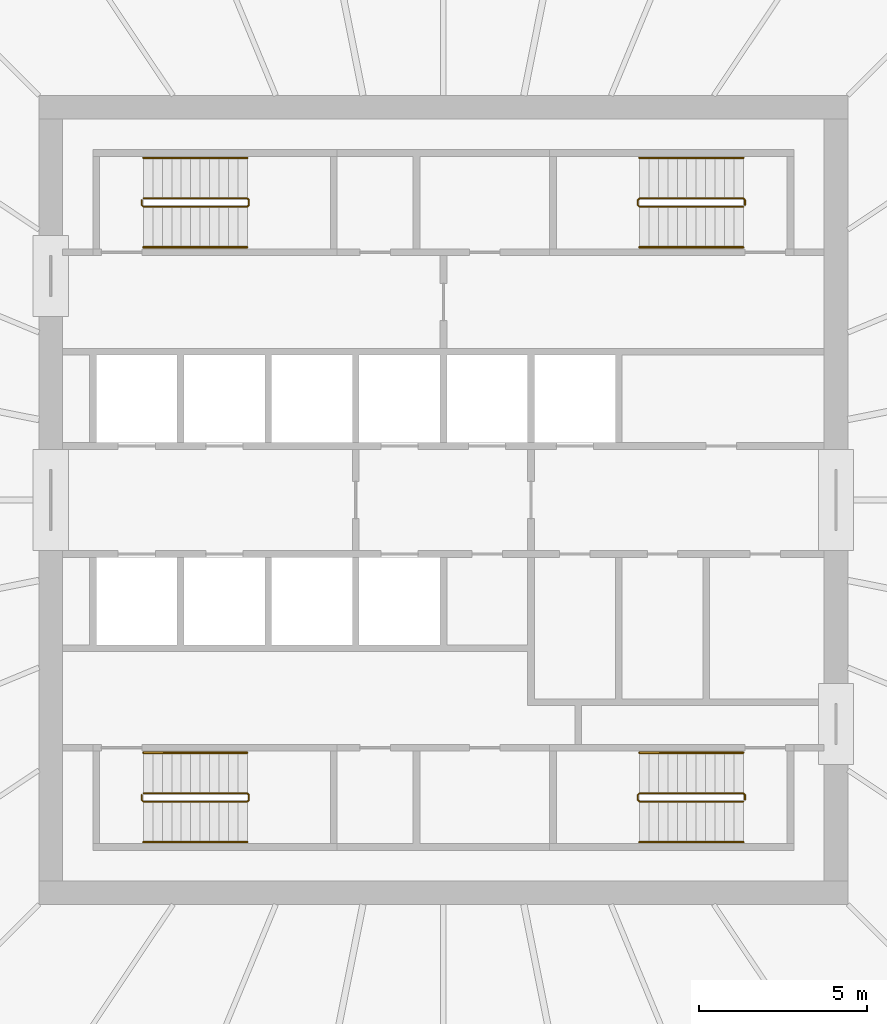
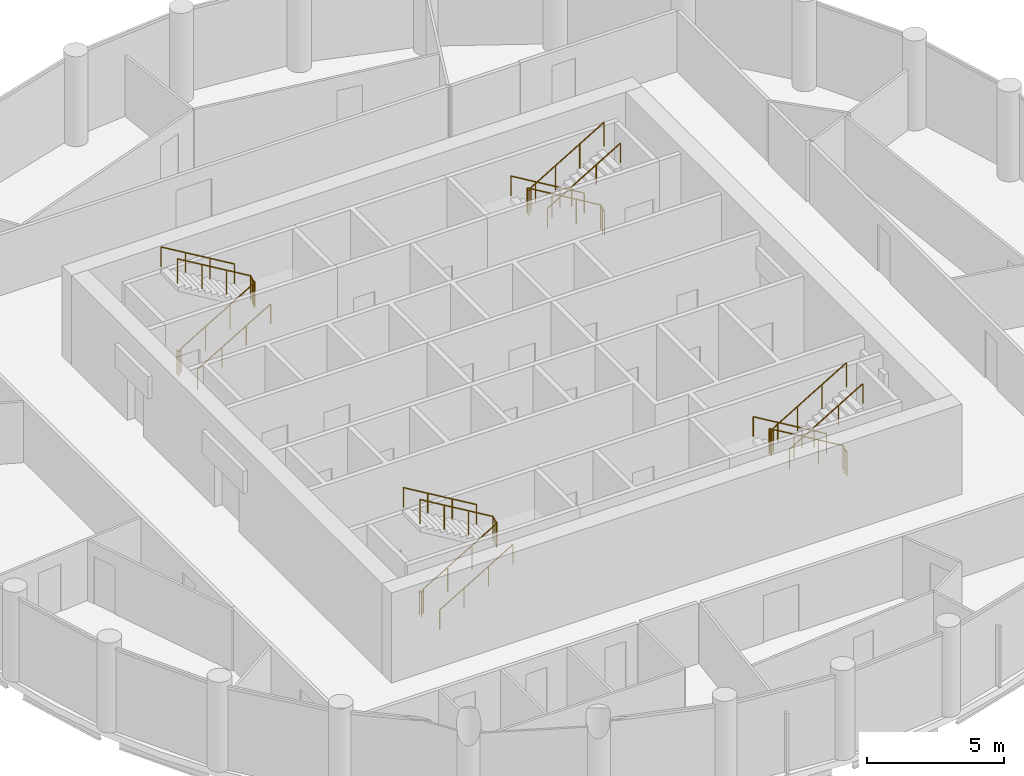
# One storey, part 8 of 8: 12 railings.
"""IFC4 building model written with IfcOpenShell, lengths in metres."""

from ifc_helpers import new_model, si_unit, direction, frame, origin, origin_2d, place, context, subcontext, project, spatial, circle, extrude, material, type_object, element, save


model = new_model("IFC4")

# Units and contexts
model_context = context("Model", 3, precision=1e-05, world=origin(), true_north=direction((0.0, 1.0)))
body_context = subcontext(model_context, "Body", "Model", "MODEL_VIEW")
ifc_project = project(units=[si_unit("LENGTHUNIT", "METRE"), si_unit("AREAUNIT", "SQUARE_METRE"), si_unit("VOLUMEUNIT", "CUBIC_METRE"), si_unit("PLANEANGLEUNIT", "RADIAN"), si_unit("MASSUNIT", "GRAM", prefix="KILO")], contexts=[model_context])

# Site, building, storey
site_placement = place(None, origin())
site = spatial("IfcSite", under=ifc_project, at=site_placement, CompositionType="ELEMENT")
building_placement = place(site_placement, origin())
building = spatial("IfcBuilding", under=site, at=building_placement, Name="Corvane Civic Tower", CompositionType="ELEMENT")
storey_placement = place(building_placement, frame((0.0, 0.0, 299.0)))
storey = spatial("IfcBuildingStorey", under=building, at=storey_placement, Name="L71", CompositionType="ELEMENT", Elevation=299.0)

# Railings
ifc_material_1 = material(Name="Steel ASTM A572 Gr 50", Category="steel")
railing_type_1 = type_object("IfcRailingType", Name="ST-GUARD-1100", PredefinedType="GUARDRAIL", material=ifc_material_1)
railing_1_placement = place(storey_placement, frame((8.949951171875, 8.75, 0.0)))
element("IfcRailing", 1, at=railing_1_placement, inside=storey, type_object=railing_type_1, Name="L71 ST1 stair guard 1", PredefinedType="GUARDRAIL", context=body_context, shape_type="SweptSolid", body=[
    extrude(circle(Radius=0.02392578125, at=origin_2d()), frame((0.0, 0.0, 1.076171875), z_axis=(0.0, 1.0, 0.0), x_axis=(-1.0, 0.0, 0.0)), (0.0, 0.0, 1.0), 0.14990234375),
    extrude(circle(Radius=0.02392578125, at=origin_2d()), frame((0.0, 0.14990234375, 1.076171875), z_axis=(-0.27628659633, 0.27628659633, 0.920506074601), x_axis=(-0.707106781187, -0.707106781187, 0.0)), (0.0, 0.0, 1.0), 0.18115234375),
    extrude(circle(Radius=0.02392578125, at=origin_2d()), frame((-0.050048828125, 0.199951171875, 1.24267578125), z_axis=(-0.859290745958, 0.0, 0.51148745235), x_axis=(0.0, -1.0, 0.0)), (0.0, 0.0, 1.0), 3.584228515625),
    extrude(circle(Radius=0.02392578125, at=origin_2d()), frame((-3.1298828125, 0.199951171875, 3.076171875), z_axis=(-0.707106781187, -0.707106781187, 0.0), x_axis=(0.707106781187, -0.707106781187, 0.0)), (0.0, 0.0, 1.0), 0.07080078125),
    extrude(circle(Radius=0.02392578125, at=origin_2d()), frame((-3.179931640625, 0.14990234375, 3.076171875), z_axis=(0.0, -1.0, 0.0), x_axis=(1.0, 0.0, 0.0)), (0.0, 0.0, 1.0), 0.14990234375),
    extrude(circle(Radius=0.02392578125, at=origin_2d()), frame((-3.179931640625, 0.0, 3.076171875), z_axis=(0.27628659633, -0.27628659633, 0.920506074601), x_axis=(0.707106781187, 0.707106781187, 0.0)), (0.0, 0.0, 1.0), 0.18115234375),
    extrude(circle(Radius=0.02392578125, at=origin_2d()), frame((-3.1298828125, -0.050048828125, 3.24267578125), z_axis=(0.859290745958, 0.0, 0.51148745235), x_axis=(0.0, 1.0, 0.0)), (0.0, 0.0, 1.0), 3.584228515625),
    extrude(circle(Radius=0.02099609375, at=origin_2d()), origin(), (0.0, 0.0, 1.0), 1.052001953125),
    extrude(circle(Radius=0.02099609375, at=origin_2d()), frame((0.0, 0.14990234375, 0.0)), (0.0, 0.0, 1.0), 1.052001953125),
    extrude(circle(Radius=0.02099609375, at=origin_2d()), frame((-0.050048828125, 0.199951171875, 0.166748046875)), (0.0, 0.0, 1.0), 1.052001953125),
    extrude(circle(Radius=0.02099609375, at=origin_2d()), frame((-1.07666015625, 0.199951171875, 0.77783203125)), (0.0, 0.0, 1.0), 1.052001953125),
    extrude(circle(Radius=0.02099609375, at=origin_2d()), frame((-2.103271484375, 0.199951171875, 1.388916015625)), (0.0, 0.0, 1.0), 1.052001953125),
    extrude(circle(Radius=0.02099609375, at=origin_2d()), frame((-3.1298828125, 0.199951171875, 2.0)), (0.0, 0.0, 1.0), 1.052001953125),
    extrude(circle(Radius=0.02099609375, at=origin_2d()), frame((-3.179931640625, 0.14990234375, 2.0)), (0.0, 0.0, 1.0), 1.052001953125),
    extrude(circle(Radius=0.02099609375, at=origin_2d()), frame((-3.179931640625, 0.0, 2.0)), (0.0, 0.0, 1.0), 1.052001953125),
    extrude(circle(Radius=0.02099609375, at=origin_2d()), frame((-3.1298828125, -0.050048828125, 2.166748046875)), (0.0, 0.0, 1.0), 1.052001953125),
    extrude(circle(Radius=0.02099609375, at=origin_2d()), frame((-2.103271484375, -0.050048828125, 2.77783203125)), (0.0, 0.0, 1.0), 1.052001953125),
    extrude(circle(Radius=0.02099609375, at=origin_2d()), frame((-1.07666015625, -0.050048828125, 3.388916015625)), (0.0, 0.0, 1.0), 1.052001953125),
    extrude(circle(Radius=0.02099609375, at=origin_2d()), frame((-0.050048828125, -0.050048828125, 4.0)), (0.0, 0.0, 1.0), 1.052001953125),
])
railing_2_placement = place(storey_placement, frame((8.949951171875, -8.89990234375, 0.0)))
element("IfcRailing", 2, at=railing_2_placement, inside=storey, type_object=railing_type_1, Name="L71 ST2 stair guard 1", PredefinedType="GUARDRAIL", context=body_context, shape_type="SweptSolid", body=[
    extrude(circle(Radius=0.02392578125, at=origin_2d()), frame((0.0, 0.0, 1.076171875), z_axis=(0.0, 1.0, 0.0), x_axis=(-1.0, 0.0, 0.0)), (0.0, 0.0, 1.0), 0.14990234375),
    extrude(circle(Radius=0.02392578125, at=origin_2d()), frame((0.0, 0.14990234375, 1.076171875), z_axis=(-0.27628659633, 0.27628659633, 0.920506074601), x_axis=(-0.707106781187, -0.707106781187, 0.0)), (0.0, 0.0, 1.0), 0.18115234375),
    extrude(circle(Radius=0.02392578125, at=origin_2d()), frame((-0.050048828125, 0.199951171875, 1.24267578125), z_axis=(-0.859290745958, 0.0, 0.51148745235), x_axis=(0.0, -1.0, 0.0)), (0.0, 0.0, 1.0), 3.584228515625),
    extrude(circle(Radius=0.02392578125, at=origin_2d()), frame((-3.1298828125, 0.199951171875, 3.076171875), z_axis=(-0.707106781187, -0.707106781187, 0.0), x_axis=(0.707106781187, -0.707106781187, 0.0)), (0.0, 0.0, 1.0), 0.07080078125),
    extrude(circle(Radius=0.02392578125, at=origin_2d()), frame((-3.179931640625, 0.14990234375, 3.076171875), z_axis=(0.0, -1.0, 0.0), x_axis=(1.0, 0.0, 0.0)), (0.0, 0.0, 1.0), 0.14990234375),
    extrude(circle(Radius=0.02392578125, at=origin_2d()), frame((-3.179931640625, 0.0, 3.076171875), z_axis=(0.27628659633, -0.27628659633, 0.920506074601), x_axis=(0.707106781187, 0.707106781187, 0.0)), (0.0, 0.0, 1.0), 0.18115234375),
    extrude(circle(Radius=0.02392578125, at=origin_2d()), frame((-3.1298828125, -0.050048828125, 3.24267578125), z_axis=(0.859290745958, 0.0, 0.51148745235), x_axis=(0.0, 1.0, 0.0)), (0.0, 0.0, 1.0), 3.584228515625),
    extrude(circle(Radius=0.02099609375, at=origin_2d()), origin(), (0.0, 0.0, 1.0), 1.052001953125),
    extrude(circle(Radius=0.02099609375, at=origin_2d()), frame((0.0, 0.14990234375, 0.0)), (0.0, 0.0, 1.0), 1.052001953125),
    extrude(circle(Radius=0.02099609375, at=origin_2d()), frame((-0.050048828125, 0.199951171875, 0.166748046875)), (0.0, 0.0, 1.0), 1.052001953125),
    extrude(circle(Radius=0.02099609375, at=origin_2d()), frame((-1.07666015625, 0.199951171875, 0.77783203125)), (0.0, 0.0, 1.0), 1.052001953125),
    extrude(circle(Radius=0.02099609375, at=origin_2d()), frame((-2.103271484375, 0.199951171875, 1.388916015625)), (0.0, 0.0, 1.0), 1.052001953125),
    extrude(circle(Radius=0.02099609375, at=origin_2d()), frame((-3.1298828125, 0.199951171875, 2.0)), (0.0, 0.0, 1.0), 1.052001953125),
    extrude(circle(Radius=0.02099609375, at=origin_2d()), frame((-3.179931640625, 0.14990234375, 2.0)), (0.0, 0.0, 1.0), 1.052001953125),
    extrude(circle(Radius=0.02099609375, at=origin_2d()), frame((-3.179931640625, 0.0, 2.0)), (0.0, 0.0, 1.0), 1.052001953125),
    extrude(circle(Radius=0.02099609375, at=origin_2d()), frame((-3.1298828125, -0.050048828125, 2.166748046875)), (0.0, 0.0, 1.0), 1.052001953125),
    extrude(circle(Radius=0.02099609375, at=origin_2d()), frame((-2.103271484375, -0.050048828125, 2.77783203125)), (0.0, 0.0, 1.0), 1.052001953125),
    extrude(circle(Radius=0.02099609375, at=origin_2d()), frame((-1.07666015625, -0.050048828125, 3.388916015625)), (0.0, 0.0, 1.0), 1.052001953125),
    extrude(circle(Radius=0.02099609375, at=origin_2d()), frame((-0.050048828125, -0.050048828125, 4.0)), (0.0, 0.0, 1.0), 1.052001953125),
])
railing_3_placement = place(storey_placement, frame((-8.949951171875, -8.75, 0.0)))
element("IfcRailing", 3, at=railing_3_placement, inside=storey, type_object=railing_type_1, Name="L71 ST3 stair guard 1", PredefinedType="GUARDRAIL", context=body_context, shape_type="SweptSolid", body=[
    extrude(circle(Radius=0.02392578125, at=origin_2d()), frame((0.0, 0.0, 1.076171875), z_axis=(0.0, -1.0, 0.0), x_axis=(1.0, 0.0, 0.0)), (0.0, 0.0, 1.0), 0.14990234375),
    extrude(circle(Radius=0.02392578125, at=origin_2d()), frame((0.0, -0.14990234375, 1.076171875), z_axis=(0.27628659633, -0.27628659633, 0.920506074601), x_axis=(0.707106781187, 0.707106781187, 0.0)), (0.0, 0.0, 1.0), 0.18115234375),
    extrude(circle(Radius=0.02392578125, at=origin_2d()), frame((0.050048828125, -0.199951171875, 1.24267578125), z_axis=(0.859290745958, 0.0, 0.51148745235), x_axis=(0.0, 1.0, 0.0)), (0.0, 0.0, 1.0), 3.584228515625),
    extrude(circle(Radius=0.02392578125, at=origin_2d()), frame((3.1298828125, -0.199951171875, 3.076171875), z_axis=(0.707106781187, 0.707106781187, 0.0), x_axis=(-0.707106781187, 0.707106781187, 0.0)), (0.0, 0.0, 1.0), 0.07080078125),
    extrude(circle(Radius=0.02392578125, at=origin_2d()), frame((3.179931640625, -0.14990234375, 3.076171875), z_axis=(0.0, 1.0, 0.0), x_axis=(-1.0, 0.0, 0.0)), (0.0, 0.0, 1.0), 0.14990234375),
    extrude(circle(Radius=0.02392578125, at=origin_2d()), frame((3.179931640625, 0.0, 3.076171875), z_axis=(-0.27628659633, 0.27628659633, 0.920506074601), x_axis=(-0.707106781187, -0.707106781187, 0.0)), (0.0, 0.0, 1.0), 0.18115234375),
    extrude(circle(Radius=0.02392578125, at=origin_2d()), frame((3.1298828125, 0.050048828125, 3.24267578125), z_axis=(-0.859290745958, 0.0, 0.51148745235), x_axis=(0.0, -1.0, 0.0)), (0.0, 0.0, 1.0), 3.584228515625),
    extrude(circle(Radius=0.02099609375, at=origin_2d()), origin(), (0.0, 0.0, 1.0), 1.052001953125),
    extrude(circle(Radius=0.02099609375, at=origin_2d()), frame((0.0, -0.14990234375, 0.0)), (0.0, 0.0, 1.0), 1.052001953125),
    extrude(circle(Radius=0.02099609375, at=origin_2d()), frame((0.050048828125, -0.199951171875, 0.166748046875)), (0.0, 0.0, 1.0), 1.052001953125),
    extrude(circle(Radius=0.02099609375, at=origin_2d()), frame((1.07666015625, -0.199951171875, 0.77783203125)), (0.0, 0.0, 1.0), 1.052001953125),
    extrude(circle(Radius=0.02099609375, at=origin_2d()), frame((2.103271484375, -0.199951171875, 1.388916015625)), (0.0, 0.0, 1.0), 1.052001953125),
    extrude(circle(Radius=0.02099609375, at=origin_2d()), frame((3.1298828125, -0.199951171875, 2.0)), (0.0, 0.0, 1.0), 1.052001953125),
    extrude(circle(Radius=0.02099609375, at=origin_2d()), frame((3.179931640625, -0.14990234375, 2.0)), (0.0, 0.0, 1.0), 1.052001953125),
    extrude(circle(Radius=0.02099609375, at=origin_2d()), frame((3.179931640625, 0.0, 2.0)), (0.0, 0.0, 1.0), 1.052001953125),
    extrude(circle(Radius=0.02099609375, at=origin_2d()), frame((3.1298828125, 0.050048828125, 2.166748046875)), (0.0, 0.0, 1.0), 1.052001953125),
    extrude(circle(Radius=0.02099609375, at=origin_2d()), frame((2.103271484375, 0.050048828125, 2.77783203125)), (0.0, 0.0, 1.0), 1.052001953125),
    extrude(circle(Radius=0.02099609375, at=origin_2d()), frame((1.07666015625, 0.050048828125, 3.388916015625)), (0.0, 0.0, 1.0), 1.052001953125),
    extrude(circle(Radius=0.02099609375, at=origin_2d()), frame((0.050048828125, 0.050048828125, 4.0)), (0.0, 0.0, 1.0), 1.052001953125),
])
railing_4_placement = place(storey_placement, frame((-8.949951171875, 8.89990234375, 0.0)))
element("IfcRailing", 4, at=railing_4_placement, inside=storey, type_object=railing_type_1, Name="L71 ST4 stair guard 1", PredefinedType="GUARDRAIL", context=body_context, shape_type="SweptSolid", body=[
    extrude(circle(Radius=0.02392578125, at=origin_2d()), frame((0.0, 0.0, 1.076171875), z_axis=(0.0, -1.0, 0.0), x_axis=(1.0, 0.0, 0.0)), (0.0, 0.0, 1.0), 0.14990234375),
    extrude(circle(Radius=0.02392578125, at=origin_2d()), frame((0.0, -0.14990234375, 1.076171875), z_axis=(0.27628659633, -0.27628659633, 0.920506074601), x_axis=(0.707106781187, 0.707106781187, 0.0)), (0.0, 0.0, 1.0), 0.18115234375),
    extrude(circle(Radius=0.02392578125, at=origin_2d()), frame((0.050048828125, -0.199951171875, 1.24267578125), z_axis=(0.859290745958, 0.0, 0.51148745235), x_axis=(0.0, 1.0, 0.0)), (0.0, 0.0, 1.0), 3.584228515625),
    extrude(circle(Radius=0.02392578125, at=origin_2d()), frame((3.1298828125, -0.199951171875, 3.076171875), z_axis=(0.707106781187, 0.707106781187, 0.0), x_axis=(-0.707106781187, 0.707106781187, 0.0)), (0.0, 0.0, 1.0), 0.07080078125),
    extrude(circle(Radius=0.02392578125, at=origin_2d()), frame((3.179931640625, -0.14990234375, 3.076171875), z_axis=(0.0, 1.0, 0.0), x_axis=(-1.0, 0.0, 0.0)), (0.0, 0.0, 1.0), 0.14990234375),
    extrude(circle(Radius=0.02392578125, at=origin_2d()), frame((3.179931640625, 0.0, 3.076171875), z_axis=(-0.27628659633, 0.27628659633, 0.920506074601), x_axis=(-0.707106781187, -0.707106781187, 0.0)), (0.0, 0.0, 1.0), 0.18115234375),
    extrude(circle(Radius=0.02392578125, at=origin_2d()), frame((3.1298828125, 0.050048828125, 3.24267578125), z_axis=(-0.859290745958, 0.0, 0.51148745235), x_axis=(0.0, -1.0, 0.0)), (0.0, 0.0, 1.0), 3.584228515625),
    extrude(circle(Radius=0.02099609375, at=origin_2d()), origin(), (0.0, 0.0, 1.0), 1.052001953125),
    extrude(circle(Radius=0.02099609375, at=origin_2d()), frame((0.0, -0.14990234375, 0.0)), (0.0, 0.0, 1.0), 1.052001953125),
    extrude(circle(Radius=0.02099609375, at=origin_2d()), frame((0.050048828125, -0.199951171875, 0.166748046875)), (0.0, 0.0, 1.0), 1.052001953125),
    extrude(circle(Radius=0.02099609375, at=origin_2d()), frame((1.07666015625, -0.199951171875, 0.77783203125)), (0.0, 0.0, 1.0), 1.052001953125),
    extrude(circle(Radius=0.02099609375, at=origin_2d()), frame((2.103271484375, -0.199951171875, 1.388916015625)), (0.0, 0.0, 1.0), 1.052001953125),
    extrude(circle(Radius=0.02099609375, at=origin_2d()), frame((3.1298828125, -0.199951171875, 2.0)), (0.0, 0.0, 1.0), 1.052001953125),
    extrude(circle(Radius=0.02099609375, at=origin_2d()), frame((3.179931640625, -0.14990234375, 2.0)), (0.0, 0.0, 1.0), 1.052001953125),
    extrude(circle(Radius=0.02099609375, at=origin_2d()), frame((3.179931640625, 0.0, 2.0)), (0.0, 0.0, 1.0), 1.052001953125),
    extrude(circle(Radius=0.02099609375, at=origin_2d()), frame((3.1298828125, 0.050048828125, 2.166748046875)), (0.0, 0.0, 1.0), 1.052001953125),
    extrude(circle(Radius=0.02099609375, at=origin_2d()), frame((2.103271484375, 0.050048828125, 2.77783203125)), (0.0, 0.0, 1.0), 1.052001953125),
    extrude(circle(Radius=0.02099609375, at=origin_2d()), frame((1.07666015625, 0.050048828125, 3.388916015625)), (0.0, 0.0, 1.0), 1.052001953125),
    extrude(circle(Radius=0.02099609375, at=origin_2d()), frame((0.050048828125, 0.050048828125, 4.0)), (0.0, 0.0, 1.0), 1.052001953125),
])
ifc_material_2 = material(Name="Steel ASTM A572 Gr 50", Category="steel")
railing_type_2 = type_object("IfcRailingType", Name="ST-HANDRAIL-900", PredefinedType="HANDRAIL", material=ifc_material_2)
railing_5_placement = place(storey_placement, frame((8.89990234375, 10.14990234375, 0.166748046875)))
element("IfcRailing", 5, at=railing_5_placement, inside=storey, type_object=railing_type_2, Name="L71 ST1 stair handrail 1", PredefinedType="HANDRAIL", context=body_context, shape_type="SweptSolid", body=[
    extrude(circle(Radius=0.02392578125, at=origin_2d()), frame((0.0, 0.0, 0.8759765625), z_axis=(-0.859290745958, 0.0, 0.51148745235), x_axis=(0.0, -1.0, 0.0)), (0.0, 0.0, 1.0), 3.584228515625),
    extrude(circle(Radius=0.02099609375, at=origin_2d()), origin(), (0.0, 0.0, 1.0), 0.851806640625),
    extrude(circle(Radius=0.02099609375, at=origin_2d()), frame((-1.026611328125, 0.0, 0.611083984375)), (0.0, 0.0, 1.0), 0.851806640625),
    extrude(circle(Radius=0.02099609375, at=origin_2d()), frame((-2.05322265625, 0.0, 1.22216796875)), (0.0, 0.0, 1.0), 0.851806640625),
    extrude(circle(Radius=0.02099609375, at=origin_2d()), frame((-3.079833984375, 0.0, 1.833251953125)), (0.0, 0.0, 1.0), 0.851806640625),
])
railing_6_placement = place(storey_placement, frame((5.820068359375, 7.5, 2.166748046875)))
element("IfcRailing", 6, at=railing_6_placement, inside=storey, type_object=railing_type_2, Name="L71 ST1 stair handrail 2", PredefinedType="HANDRAIL", context=body_context, shape_type="SweptSolid", body=[
    extrude(circle(Radius=0.02392578125, at=origin_2d()), frame((0.0, 0.0, 0.8759765625), z_axis=(0.859290745958, 0.0, 0.51148745235), x_axis=(0.0, 1.0, 0.0)), (0.0, 0.0, 1.0), 3.584228515625),
    extrude(circle(Radius=0.02099609375, at=origin_2d()), origin(), (0.0, 0.0, 1.0), 0.851806640625),
    extrude(circle(Radius=0.02099609375, at=origin_2d()), frame((1.026611328125, 0.0, 0.611083984375)), (0.0, 0.0, 1.0), 0.851806640625),
    extrude(circle(Radius=0.02099609375, at=origin_2d()), frame((2.05322265625, 0.0, 1.22216796875)), (0.0, 0.0, 1.0), 0.851806640625),
    extrude(circle(Radius=0.02099609375, at=origin_2d()), frame((3.079833984375, 0.0, 1.833251953125)), (0.0, 0.0, 1.0), 0.851806640625),
])
railing_7_placement = place(storey_placement, frame((8.89990234375, -7.5, 0.166748046875)))
element("IfcRailing", 7, at=railing_7_placement, inside=storey, type_object=railing_type_2, Name="L71 ST2 stair handrail 1", PredefinedType="HANDRAIL", context=body_context, shape_type="SweptSolid", body=[
    extrude(circle(Radius=0.02392578125, at=origin_2d()), frame((0.0, 0.0, 0.8759765625), z_axis=(-0.859290745958, 0.0, 0.51148745235), x_axis=(0.0, -1.0, 0.0)), (0.0, 0.0, 1.0), 3.584228515625),
    extrude(circle(Radius=0.02099609375, at=origin_2d()), origin(), (0.0, 0.0, 1.0), 0.851806640625),
    extrude(circle(Radius=0.02099609375, at=origin_2d()), frame((-1.026611328125, 0.0, 0.611083984375)), (0.0, 0.0, 1.0), 0.851806640625),
    extrude(circle(Radius=0.02099609375, at=origin_2d()), frame((-2.05322265625, 0.0, 1.22216796875)), (0.0, 0.0, 1.0), 0.851806640625),
    extrude(circle(Radius=0.02099609375, at=origin_2d()), frame((-3.079833984375, 0.0, 1.833251953125)), (0.0, 0.0, 1.0), 0.851806640625),
])
for number, where, name in (
    (8, (5.820068359375, -10.14990234375, 2.166748046875), "L71 ST2 stair handrail 2"),
    (9, (-8.89990234375, -10.14990234375, 0.166748046875), "L71 ST3 stair handrail 1"),
):
    element("IfcRailing", number, at=place(storey_placement, frame(where)), inside=storey, type_object=railing_type_2, Name=name, PredefinedType="HANDRAIL", context=body_context, shape_type="SweptSolid", body=[
        extrude(circle(Radius=0.02392578125, at=origin_2d()), frame((0.0, 0.0, 0.8759765625), z_axis=(0.859290745958, 0.0, 0.51148745235), x_axis=(0.0, 1.0, 0.0)), (0.0, 0.0, 1.0), 3.584228515625),
        extrude(circle(Radius=0.02099609375, at=origin_2d()), origin(), (0.0, 0.0, 1.0), 0.851806640625),
        extrude(circle(Radius=0.02099609375, at=origin_2d()), frame((1.026611328125, 0.0, 0.611083984375)), (0.0, 0.0, 1.0), 0.851806640625),
        extrude(circle(Radius=0.02099609375, at=origin_2d()), frame((2.05322265625, 0.0, 1.22216796875)), (0.0, 0.0, 1.0), 0.851806640625),
        extrude(circle(Radius=0.02099609375, at=origin_2d()), frame((3.079833984375, 0.0, 1.833251953125)), (0.0, 0.0, 1.0), 0.851806640625),
    ])
railing_8_placement = place(storey_placement, frame((-5.820068359375, -7.5, 2.166748046875)))
element("IfcRailing", 10, at=railing_8_placement, inside=storey, type_object=railing_type_2, Name="L71 ST3 stair handrail 2", PredefinedType="HANDRAIL", context=body_context, shape_type="SweptSolid", body=[
    extrude(circle(Radius=0.02392578125, at=origin_2d()), frame((0.0, 0.0, 0.8759765625), z_axis=(-0.859290745958, 0.0, 0.51148745235), x_axis=(0.0, -1.0, 0.0)), (0.0, 0.0, 1.0), 3.584228515625),
    extrude(circle(Radius=0.02099609375, at=origin_2d()), origin(), (0.0, 0.0, 1.0), 0.851806640625),
    extrude(circle(Radius=0.02099609375, at=origin_2d()), frame((-1.026611328125, 0.0, 0.611083984375)), (0.0, 0.0, 1.0), 0.851806640625),
    extrude(circle(Radius=0.02099609375, at=origin_2d()), frame((-2.05322265625, 0.0, 1.22216796875)), (0.0, 0.0, 1.0), 0.851806640625),
    extrude(circle(Radius=0.02099609375, at=origin_2d()), frame((-3.079833984375, 0.0, 1.833251953125)), (0.0, 0.0, 1.0), 0.851806640625),
])
railing_9_placement = place(storey_placement, frame((-8.89990234375, 7.5, 0.166748046875)))
element("IfcRailing", 11, at=railing_9_placement, inside=storey, type_object=railing_type_2, Name="L71 ST4 stair handrail 1", PredefinedType="HANDRAIL", context=body_context, shape_type="SweptSolid", body=[
    extrude(circle(Radius=0.02392578125, at=origin_2d()), frame((0.0, 0.0, 0.8759765625), z_axis=(0.859290745958, 0.0, 0.51148745235), x_axis=(0.0, 1.0, 0.0)), (0.0, 0.0, 1.0), 3.584228515625),
    extrude(circle(Radius=0.02099609375, at=origin_2d()), origin(), (0.0, 0.0, 1.0), 0.851806640625),
    extrude(circle(Radius=0.02099609375, at=origin_2d()), frame((1.026611328125, 0.0, 0.611083984375)), (0.0, 0.0, 1.0), 0.851806640625),
    extrude(circle(Radius=0.02099609375, at=origin_2d()), frame((2.05322265625, 0.0, 1.22216796875)), (0.0, 0.0, 1.0), 0.851806640625),
    extrude(circle(Radius=0.02099609375, at=origin_2d()), frame((3.079833984375, 0.0, 1.833251953125)), (0.0, 0.0, 1.0), 0.851806640625),
])
railing_10_placement = place(storey_placement, frame((-5.820068359375, 10.14990234375, 2.166748046875)))
element("IfcRailing", 12, at=railing_10_placement, inside=storey, type_object=railing_type_2, Name="L71 ST4 stair handrail 2", PredefinedType="HANDRAIL", context=body_context, shape_type="SweptSolid", body=[
    extrude(circle(Radius=0.02392578125, at=origin_2d()), frame((0.0, 0.0, 0.8759765625), z_axis=(-0.859290745958, 0.0, 0.51148745235), x_axis=(0.0, -1.0, 0.0)), (0.0, 0.0, 1.0), 3.584228515625),
    extrude(circle(Radius=0.02099609375, at=origin_2d()), origin(), (0.0, 0.0, 1.0), 0.851806640625),
    extrude(circle(Radius=0.02099609375, at=origin_2d()), frame((-1.026611328125, 0.0, 0.611083984375)), (0.0, 0.0, 1.0), 0.851806640625),
    extrude(circle(Radius=0.02099609375, at=origin_2d()), frame((-2.05322265625, 0.0, 1.22216796875)), (0.0, 0.0, 1.0), 0.851806640625),
    extrude(circle(Radius=0.02099609375, at=origin_2d()), frame((-3.079833984375, 0.0, 1.833251953125)), (0.0, 0.0, 1.0), 0.851806640625),
])

save(model, "model.ifc")
